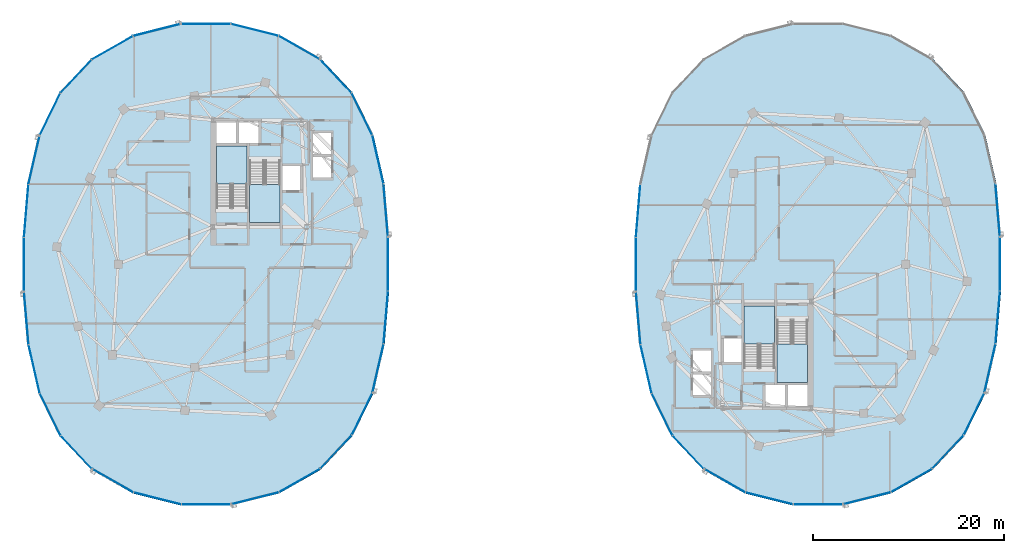
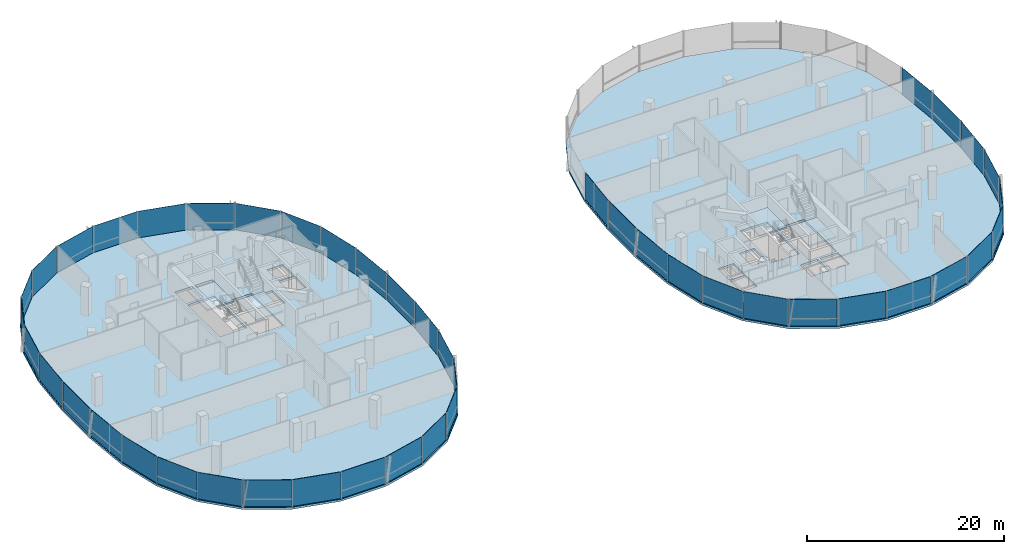
# One storey, part 13 of 25: 45 plates, 6 slabs, 12 elements without a shape of their own.
"""IFC4 building model written with IfcOpenShell, lengths in metres."""

import ifcopenshell
import ifcopenshell.guid

model = None  # the IFC model being written
_history = None  # IfcOwnerHistory: only IFC2X3 demands one
_inside = {}  # id of a spatial element -> (the spatial element, [elements in it])
_under = {}  # id of a project, library or spatial element -> (it, [spatial elements below it])
_declared = {}  # id of a project -> (the project, [libraries it declares])
_typed = {}  # id of a type object -> (the type object, [elements of that type])
_made_of = {}  # id of a material, layer set ... -> (it, [elements and type objects made of it])


def new_model(schema):
    """Start an empty IFC model of exactly this schema.

    Asked for "IFC4X3", IfcOpenShell would pick the latest addendum, in which some entities
    have other attributes; the version numbers below select the first issue.
    IFC2X3 requires an IfcOwnerHistory on every rooted entity: one is made here for all.
    """
    global model, _history
    if schema == "IFC4X3":
        model = ifcopenshell.file(schema_version=(4, 3, 0, 0))
    else:
        model = ifcopenshell.file(schema=schema)
    _inside.clear()
    _under.clear()
    _declared.clear()
    _typed.clear()
    _made_of.clear()
    _history = None
    if model.schema == "IFC2X3":
        org = make("IfcOrganization", Name="unknown")
        user = make(
            "IfcPersonAndOrganization",
            ThePerson=make("IfcPerson", FamilyName="unknown"),
            TheOrganization=org,
        )
        app = make(
            "IfcApplication",
            ApplicationDeveloper=org,
            Version="unknown",
            ApplicationFullName="unknown",
            ApplicationIdentifier="unknown",
        )
        _history = make(
            "IfcOwnerHistory",
            OwningUser=user,
            OwningApplication=app,
            ChangeAction="ADDED",
            CreationDate=0,
        )
    return model


def make(cls, **values):
    """One entity of the class cls with the attributes given. An attribute that is None is left unset."""
    return model.create_entity(
        cls, **{name: value for name, value in values.items() if value is not None}
    )


def rooted(cls, **values):
    """An entity with a GlobalId (a new one), such as an element, a storey or a relation."""
    return make(cls, GlobalId=ifcopenshell.guid.new(), OwnerHistory=_history, **values)


def si_unit(unit_type, name, prefix=None):
    """IfcSIUnit, for example si_unit("LENGTHUNIT", "METRE", prefix="MILLI")."""
    return make("IfcSIUnit", UnitType=unit_type, Prefix=prefix, Name=name)


def assignment(units):
    """IfcUnitAssignment: the units of a project."""
    return None if units is None else make("IfcUnitAssignment", Units=units)


def point(xyz):
    """IfcCartesianPoint."""
    return None if xyz is None else make("IfcCartesianPoint", Coordinates=xyz)


def direction(xyz):
    """IfcDirection."""
    return None if xyz is None else make("IfcDirection", DirectionRatios=xyz)


def frame(location, z_axis=None, x_axis=None):
    """IfcAxis2Placement3D, a coordinate frame: its origin and axes. An axis left out is left unset."""
    return make(
        "IfcAxis2Placement3D",
        Location=point(location),
        Axis=direction(z_axis),
        RefDirection=direction(x_axis),
    )


def frame_2d(location, x_axis=None):
    """IfcAxis2Placement2D, a coordinate frame in the plane: its origin and x axis."""
    return make(
        "IfcAxis2Placement2D", Location=point(location), RefDirection=direction(x_axis)
    )


def origin():
    """The frame at (0, 0, 0) with its axes left unset."""
    return frame((0.0, 0.0, 0.0))


def origin_2d():
    """The frame at (0, 0) in the plane with its x axis left unset."""
    return frame_2d((0.0, 0.0))


def place(relative_to, where):
    """IfcLocalPlacement: puts the frame where relative to a parent placement (None: the world)."""
    return make(
        "IfcLocalPlacement", PlacementRelTo=relative_to, RelativePlacement=where
    )


def context(
    kind, dimensions, precision=None, world=None, true_north=None, identifier=None
):
    """IfcGeometricRepresentationContext, for example the 3D "Model" context."""
    return make(
        "IfcGeometricRepresentationContext",
        ContextIdentifier=identifier,
        ContextType=kind,
        CoordinateSpaceDimension=dimensions,
        Precision=precision,
        WorldCoordinateSystem=world,
        TrueNorth=true_north,
    )


def subcontext(parent, identifier, kind, view, scale=None):
    """IfcGeometricRepresentationSubContext, for example "Body" below "Model"."""
    return make(
        "IfcGeometricRepresentationSubContext",
        ContextIdentifier=identifier,
        ContextType=kind,
        ParentContext=parent,
        TargetScale=scale,
        TargetView=view,
    )


def project(units=None, contexts=None):
    """IfcProject with its units and contexts."""
    return rooted(
        "IfcProject",
        Name="project",
        RepresentationContexts=contexts,
        UnitsInContext=assignment(units),
    )


def spatial(cls, under=None, at=None, **own):
    """A site, building, storey or space (cls), placed at a placement, below another one or the project."""
    s = rooted(cls, ObjectPlacement=at, **own)
    if under is not None:
        _under.setdefault(under.id(), (under, []))[1].append(s)
    return s


def polyline(points):
    """IfcPolyline through the points."""
    return make("IfcPolyline", Points=[point(p) for p in points])


def profile(cls, at=None, kind="AREA", **sizes):
    """A parametric profile (cls). Its sizes go by their IFC names, for example OverallWidth=200.0."""
    return make(cls, ProfileType=kind, Position=at, **sizes)


def rectangle(**sizes):
    """IfcRectangleProfileDef."""
    return profile("IfcRectangleProfileDef", **sizes)


def outline(outer, holes=None, kind="AREA"):
    """IfcArbitraryClosedProfileDef: a profile drawn as a closed curve; with holes, ...WithVoids."""
    if holes is None:
        return make("IfcArbitraryClosedProfileDef", ProfileType=kind, OuterCurve=outer)
    return make(
        "IfcArbitraryProfileDefWithVoids",
        ProfileType=kind,
        OuterCurve=outer,
        InnerCurves=holes,
    )


def extrude(swept, where, along, depth):
    """IfcExtrudedAreaSolid: the profile swept, set in the frame where, extruded along a direction by depth."""
    return make(
        "IfcExtrudedAreaSolid",
        SweptArea=swept,
        Position=where,
        ExtrudedDirection=direction(along),
        Depth=depth,
    )


def shape(context_of_items, identifier, shape_type, items):
    """IfcShapeRepresentation: the items that make up one representation, for example the "Body"."""
    return make(
        "IfcShapeRepresentation",
        ContextOfItems=context_of_items,
        RepresentationIdentifier=identifier,
        RepresentationType=shape_type,
        Items=items,
    )


def material(Name=None, Category=None):
    """IfcMaterial."""
    return make("IfcMaterial", Name=Name, Category=Category)


def layer(
    of_material, thickness, ventilated=None, Name=None, Category=None, Priority=None
):
    """IfcMaterialLayer: one layer of a wall or slab, of a material (None: an air gap)."""
    return make(
        "IfcMaterialLayer",
        Material=of_material,
        LayerThickness=thickness,
        IsVentilated=ventilated,
        Name=Name,
        Category=Category,
        Priority=Priority,
    )


def layer_set(layers, Name=None):
    """IfcMaterialLayerSet."""
    return make("IfcMaterialLayerSet", MaterialLayers=layers, LayerSetName=Name)


def made_of(thing, what):
    """Note that an element or type object is made of a material, layer set ...; save() writes the relation."""
    if what is not None:
        _made_of.setdefault(what.id(), (what, []))[1].append(thing)
    return thing


def type_object(cls, material=None, **own):
    """A type object (cls), such as IfcWallType, which elements share."""
    return made_of(rooted(cls, **own), material)


def element(
    cls,
    number,
    at=None,
    inside=None,
    cuts=None,
    type_object=None,
    material=None,
    context=None,
    identifier="Body",
    shape_type=None,
    held_by="IfcProductDefinitionShape",
    body=None,
    shapes=None,
    **own,
):
    """One element of the class cls, such as IfcWall. Its Tag is "e" and its number.

    at: its placement. inside: the storey or other place that contains it. cuts: it is an
    opening in that element (IfcRelVoidsElement). A single representation is given by context,
    identifier, shape_type and body (its items); several are given by shapes. held_by: the class
    of the entity that holds the representations. save() writes the other relations.
    """
    e = rooted(cls, Tag="e%d" % number, ObjectPlacement=at, **own)
    if body is not None:
        shapes = [shape(context, identifier, shape_type, body)]
    if shapes is not None:
        e.Representation = make(held_by, Representations=shapes)
    if inside is not None:
        _inside.setdefault(inside.id(), (inside, []))[1].append(e)
    if cuts is not None:
        rooted(
            "IfcRelVoidsElement", RelatingBuildingElement=cuts, RelatedOpeningElement=e
        )
    if type_object is not None:
        _typed.setdefault(type_object.id(), (type_object, []))[1].append(e)
    return made_of(e, material)


def aggregate(whole, parts):
    """IfcRelAggregates: a whole, such as a stair, and the parts it consists of."""
    return rooted("IfcRelAggregates", RelatingObject=whole, RelatedObjects=parts)


def save(model, path):
    """Write the relations noted so far, then the file.

    IfcRelAggregates (storeys below a building ...), IfcRelContainedInSpatialStructure (elements
    in a storey), IfcRelDefinesByType, IfcRelAssociatesMaterial and IfcRelDeclares: one each for
    every whole, place, type object, material and project.
    """
    for whole, parts in _under.values():
        aggregate(whole, parts)
    for where, things in _inside.values():
        rooted(
            "IfcRelContainedInSpatialStructure",
            RelatedElements=things,
            RelatingStructure=where,
        )
    for kind, things in _typed.values():
        rooted("IfcRelDefinesByType", RelatedObjects=things, RelatingType=kind)
    for what, things in _made_of.values():
        rooted("IfcRelAssociatesMaterial", RelatedObjects=things, RelatingMaterial=what)
    for by, libraries in _declared.values():
        rooted("IfcRelDeclares", RelatingContext=by, RelatedDefinitions=libraries)
    model.write(path)


model = new_model("IFC4")

# Units and contexts
model_context = context("Model", 3, precision=1e-05, world=origin(), true_north=direction((0.0, 1.0)))
body_context = subcontext(model_context, "Body", "Model", "MODEL_VIEW")
ifc_project = project(units=[si_unit("LENGTHUNIT", "METRE"), si_unit("AREAUNIT", "SQUARE_METRE"), si_unit("VOLUMEUNIT", "CUBIC_METRE"), si_unit("PLANEANGLEUNIT", "RADIAN"), si_unit("MASSUNIT", "GRAM", prefix="KILO"), si_unit("THERMODYNAMICTEMPERATUREUNIT", "KELVIN"), si_unit("POWERUNIT", "WATT")], contexts=[model_context])

# Site, building, storey
site_placement = place(None, origin())
site = spatial("IfcSite", under=ifc_project, at=site_placement, CompositionType="ELEMENT")
building_placement = place(site_placement, origin())
building = spatial("IfcBuilding", under=site, at=building_placement, Name="Cundina Bronze Exchange", CompositionType="ELEMENT")
storey_placement = place(building_placement, frame((0.0, 0.0, 220.60009765625)))
storey = spatial("IfcBuildingStorey", under=building, at=storey_placement, Name="L58", CompositionType="ELEMENT", Elevation=220.60009765625)

# Curtain wall, plates
ifc_material_1 = material(Name="Anodised Bronze Aluminium 6063-T6", Category="aluminium")
curtain_wall_type = type_object("IfcCurtainWallType", Name="CWS-UPP-OFF", PredefinedType="NOTDEFINED", material=ifc_material_1)
curtain_wall_1_placement = place(storey_placement, origin())
curtain_wall_1 = element("IfcCurtainWall", 1, at=curtain_wall_1_placement, inside=storey, type_object=curtain_wall_type, Name="L58 CW-05 Curtain Wall Run CWR-L58-W1", PredefinedType="NOTDEFINED")
ifc_material_2 = material(Name="Heat-Strengthened Solar-Control Bronze Safety Glass 28mm", Category="glass")
ifc_layer_1 = layer(ifc_material_2, 0.028076171875, Name="Heat-Strengthened Solar-Control Bronze Safety Glass 28mm", Category="glass")
ifc_layer_set_1 = layer_set([ifc_layer_1], Name="Heat-Strengthened Solar-Control Bronze Safety Glass 28mm")
plate_type_1 = type_object("IfcPlateType", Name="PLT-GLZ-VIS28", PredefinedType="CURTAIN_PANEL", material=ifc_layer_set_1)
plate_1_placement = place(storey_placement, frame((-13.198486328125, 5.60693359375, 0.02001953125), z_axis=(0.0, 0.0, 1.0), x_axis=(-0.083747411454, 0.996487015006, 0.0)))
plate_1 = element("IfcPlate", 2, at=plate_1_placement, type_object=plate_type_1, Name="CW-05 Glazed Panel 1", PredefinedType="CURTAIN_PANEL", context=body_context, shape_type="SweptSolid", body=[
    extrude(rectangle(XDim=5.474609375, YDim=0.028076171875, at=origin_2d()), origin(), (0.0, 0.0, 1.0), 3.300048828125),
])
plate_2_placement = place(storey_placement, frame((-15.685302734375, 15.686767578125, 0.02001953125), z_axis=(0.0, 0.0, 1.0), x_axis=(-0.440503330345, 0.897750976582, 0.0)))
plate_2 = element("IfcPlate", 3, at=plate_2_placement, type_object=plate_type_1, Name="CW-05 Glazed Panel 3", PredefinedType="CURTAIN_PANEL", context=body_context, shape_type="SweptSolid", body=[
    extrude(rectangle(XDim=4.863525390625, YDim=0.028076171875, at=origin_2d()), origin(), (0.0, 0.0, 1.0), 3.300048828125),
])
plate_3_placement = place(storey_placement, frame((-18.4208984375, 19.6552734375, 0.02001953125), z_axis=(0.0, 0.0, 1.0), x_axis=(-0.684343512797, 0.72915976061, 0.0)))
plate_3 = element("IfcPlate", 4, at=plate_3_placement, type_object=plate_type_1, Name="CW-05 Glazed Panel 4", PredefinedType="CURTAIN_PANEL", context=body_context, shape_type="SweptSolid", body=[
    extrude(rectangle(XDim=4.773193359375, YDim=0.028076171875, at=origin_2d()), origin(), (0.0, 0.0, 1.0), 3.300048828125),
])
plate_4_placement = place(storey_placement, frame((-22.230712890625, 22.64111328125, 0.02001953125), z_axis=(0.0, 0.0, 1.0), x_axis=(-0.869572506985, 0.493805280547, 0.0)))
plate_4 = element("IfcPlate", 5, at=plate_4_placement, type_object=plate_type_1, Name="CW-05 Glazed Panel 5", PredefinedType="CURTAIN_PANEL", context=body_context, shape_type="SweptSolid", body=[
    extrude(rectangle(XDim=4.907958984375, YDim=0.028076171875, at=origin_2d()), origin(), (0.0, 0.0, 1.0), 3.300048828125),
])
plate_5_placement = place(storey_placement, frame((-26.88720703125, 24.49609375, 0.02001953125), z_axis=(0.0, 0.0, 1.0), x_axis=(-0.969731542251, 0.244173577528, 0.0)))
plate_5 = element("IfcPlate", 6, at=plate_5_placement, type_object=plate_type_1, Name="CW-05 Glazed Panel 6", PredefinedType="CURTAIN_PANEL", context=body_context, shape_type="SweptSolid", body=[
    extrude(rectangle(XDim=5.0908203125, YDim=0.028076171875, at=origin_2d()), origin(), (0.0, 0.0, 1.0), 3.300048828125),
])

curtain_wall_2_placement = place(storey_placement, origin())
curtain_wall_2 = element("IfcCurtainWall", 7, at=curtain_wall_2_placement, inside=storey, type_object=curtain_wall_type, Name="L58 CW-05 Curtain Wall Run CWR-L58-W2", PredefinedType="NOTDEFINED")
plate_6_placement = place(storey_placement, frame((-41.769287109375, 22.64111328125, 0.02001953125), z_axis=(0.0, 0.0, 1.0), x_axis=(-0.869572506985, -0.493805280547, 0.0)))
plate_6 = element("IfcPlate", 8, at=plate_6_placement, type_object=plate_type_1, Name="CW-05 Glazed Panel 2", PredefinedType="CURTAIN_PANEL", context=body_context, shape_type="SweptSolid", body=[
    extrude(rectangle(XDim=4.907958984375, YDim=0.028076171875, at=origin_2d()), origin(), (0.0, 0.0, 1.0), 3.300048828125),
])
plate_7_placement = place(storey_placement, frame((-45.5791015625, 19.6552734375, 0.02001953125), z_axis=(0.0, 0.0, 1.0), x_axis=(-0.684343512797, -0.72915976061, 0.0)))
plate_7 = element("IfcPlate", 9, at=plate_7_placement, type_object=plate_type_1, Name="CW-05 Glazed Panel 3", PredefinedType="CURTAIN_PANEL", context=body_context, shape_type="SweptSolid", body=[
    extrude(rectangle(XDim=4.773193359375, YDim=0.028076171875, at=origin_2d()), origin(), (0.0, 0.0, 1.0), 3.300048828125),
])
plate_8_placement = place(storey_placement, frame((-48.314697265625, 15.686767578125, 0.02001953125), z_axis=(0.0, 0.0, 1.0), x_axis=(-0.440503330345, -0.897750976582, 0.0)))
plate_8 = element("IfcPlate", 10, at=plate_8_placement, type_object=plate_type_1, Name="CW-05 Glazed Panel 4", PredefinedType="CURTAIN_PANEL", context=body_context, shape_type="SweptSolid", body=[
    extrude(rectangle(XDim=4.863525390625, YDim=0.028076171875, at=origin_2d()), origin(), (0.0, 0.0, 1.0), 3.300048828125),
])
plate_9_placement = place(storey_placement, frame((-49.98388671875, 10.92578125, 0.02001953125), z_axis=(0.0, 0.0, 1.0), x_axis=(-0.223284141459, -0.974753400698, 0.0)))
plate_9 = element("IfcPlate", 11, at=plate_9_placement, type_object=plate_type_1, Name="CW-05 Glazed Panel 5", PredefinedType="CURTAIN_PANEL", context=body_context, shape_type="SweptSolid", body=[
    extrude(rectangle(XDim=5.167724609375, YDim=0.028076171875, at=origin_2d()), origin(), (0.0, 0.0, 1.0), 3.300048828125),
])
plate_10_placement = place(storey_placement, frame((-51.033935546875, 0.0, 0.02001953125), z_axis=(0.0, 0.0, 1.0), x_axis=(0.0, -1.0, 0.0)))
plate_10 = element("IfcPlate", 12, at=plate_10_placement, type_object=plate_type_1, Name="CW-05 Glazed Panel 7", PredefinedType="CURTAIN_PANEL", context=body_context, shape_type="SweptSolid", body=[
    extrude(rectangle(XDim=5.597900390625, YDim=0.028076171875, at=origin_2d()), origin(), (0.0, 0.0, 1.0), 3.300048828125),
])

curtain_wall_3_placement = place(storey_placement, origin())
curtain_wall_3 = element("IfcCurtainWall", 13, at=curtain_wall_3_placement, inside=storey, type_object=curtain_wall_type, Name="L58 CW-05 Curtain Wall Run CWR-L58-W3", PredefinedType="NOTDEFINED")
plate_11_placement = place(storey_placement, frame((-50.801513671875, -5.60693359375, 0.02001953125), z_axis=(0.0, 0.0, 1.0), x_axis=(0.083747411454, -0.996487015006, 0.0)))
plate_11 = element("IfcPlate", 14, at=plate_11_placement, type_object=plate_type_1, Name="CW-05 Glazed Panel 1", PredefinedType="CURTAIN_PANEL", context=body_context, shape_type="SweptSolid", body=[
    extrude(rectangle(XDim=5.474609375, YDim=0.028076171875, at=origin_2d()), origin(), (0.0, 0.0, 1.0), 3.300048828125),
])
plate_12_placement = place(storey_placement, frame((-49.98388671875, -10.92578125, 0.02001953125), z_axis=(0.0, 0.0, 1.0), x_axis=(0.223284141459, -0.974753400698, 0.0)))
plate_12 = element("IfcPlate", 15, at=plate_12_placement, type_object=plate_type_1, Name="CW-05 Glazed Panel 2", PredefinedType="CURTAIN_PANEL", context=body_context, shape_type="SweptSolid", body=[
    extrude(rectangle(XDim=5.167724609375, YDim=0.028076171875, at=origin_2d()), origin(), (0.0, 0.0, 1.0), 3.300048828125),
])
plate_13_placement = place(storey_placement, frame((-48.314697265625, -15.686767578125, 0.02001953125), z_axis=(0.0, 0.0, 1.0), x_axis=(0.440503330345, -0.897750976582, 0.0)))
plate_13 = element("IfcPlate", 16, at=plate_13_placement, type_object=plate_type_1, Name="CW-05 Glazed Panel 3", PredefinedType="CURTAIN_PANEL", context=body_context, shape_type="SweptSolid", body=[
    extrude(rectangle(XDim=4.863525390625, YDim=0.028076171875, at=origin_2d()), origin(), (0.0, 0.0, 1.0), 3.300048828125),
])
plate_14_placement = place(storey_placement, frame((-45.5791015625, -19.6552734375, 0.02001953125), z_axis=(0.0, 0.0, 1.0), x_axis=(0.684343512797, -0.72915976061, 0.0)))
plate_14 = element("IfcPlate", 17, at=plate_14_placement, type_object=plate_type_1, Name="CW-05 Glazed Panel 4", PredefinedType="CURTAIN_PANEL", context=body_context, shape_type="SweptSolid", body=[
    extrude(rectangle(XDim=4.773193359375, YDim=0.028076171875, at=origin_2d()), origin(), (0.0, 0.0, 1.0), 3.300048828125),
])
plate_15_placement = place(storey_placement, frame((-37.11279296875, -24.49609375, 0.02001953125), z_axis=(0.0, 0.0, 1.0), x_axis=(0.969731542251, -0.244173577528, 0.0)))
plate_15 = element("IfcPlate", 18, at=plate_15_placement, type_object=plate_type_1, Name="CW-05 Glazed Panel 6", PredefinedType="CURTAIN_PANEL", context=body_context, shape_type="SweptSolid", body=[
    extrude(rectangle(XDim=5.0908203125, YDim=0.028076171875, at=origin_2d()), origin(), (0.0, 0.0, 1.0), 3.300048828125),
])
plate_16_placement = place(storey_placement, frame((-32.0, -25.125, 0.02001953125), z_axis=(0.0, 0.0, 1.0), x_axis=(1.0, 0.0, 0.0)))
plate_16 = element("IfcPlate", 19, at=plate_16_placement, type_object=plate_type_1, Name="CW-05 Glazed Panel 7", PredefinedType="CURTAIN_PANEL", context=body_context, shape_type="SweptSolid", body=[
    extrude(rectangle(XDim=5.16796875, YDim=0.028076171875, at=origin_2d()), origin(), (0.0, 0.0, 1.0), 3.300048828125),
])

curtain_wall_4_placement = place(storey_placement, origin())
curtain_wall_4 = element("IfcCurtainWall", 20, at=curtain_wall_4_placement, inside=storey, type_object=curtain_wall_type, Name="L58 CW-05 Curtain Wall Run CWR-L58-W4", PredefinedType="NOTDEFINED")
plate_17_placement = place(storey_placement, frame((-26.88720703125, -24.49609375, 0.02001953125), z_axis=(0.0, 0.0, 1.0), x_axis=(0.969731542251, 0.244173577528, 0.0)))
plate_17 = element("IfcPlate", 21, at=plate_17_placement, type_object=plate_type_1, Name="CW-05 Glazed Panel 1", PredefinedType="CURTAIN_PANEL", context=body_context, shape_type="SweptSolid", body=[
    extrude(rectangle(XDim=5.0908203125, YDim=0.028076171875, at=origin_2d()), origin(), (0.0, 0.0, 1.0), 3.300048828125),
])
plate_18_placement = place(storey_placement, frame((-22.230712890625, -22.64111328125, 0.02001953125), z_axis=(0.0, 0.0, 1.0), x_axis=(0.869572506985, 0.493805280547, 0.0)))
plate_18 = element("IfcPlate", 22, at=plate_18_placement, type_object=plate_type_1, Name="CW-05 Glazed Panel 2", PredefinedType="CURTAIN_PANEL", context=body_context, shape_type="SweptSolid", body=[
    extrude(rectangle(XDim=4.907958984375, YDim=0.028076171875, at=origin_2d()), origin(), (0.0, 0.0, 1.0), 3.300048828125),
])
plate_19_placement = place(storey_placement, frame((-18.4208984375, -19.6552734375, 0.02001953125), z_axis=(0.0, 0.0, 1.0), x_axis=(0.684343512797, 0.72915976061, 0.0)))
plate_19 = element("IfcPlate", 23, at=plate_19_placement, type_object=plate_type_1, Name="CW-05 Glazed Panel 3", PredefinedType="CURTAIN_PANEL", context=body_context, shape_type="SweptSolid", body=[
    extrude(rectangle(XDim=4.773193359375, YDim=0.028076171875, at=origin_2d()), origin(), (0.0, 0.0, 1.0), 3.300048828125),
])
plate_20_placement = place(storey_placement, frame((-14.01611328125, -10.92578125, 0.02001953125), z_axis=(0.0, 0.0, 1.0), x_axis=(0.223284141459, 0.974753400698, 0.0)))
plate_20 = element("IfcPlate", 24, at=plate_20_placement, type_object=plate_type_1, Name="CW-05 Glazed Panel 5", PredefinedType="CURTAIN_PANEL", context=body_context, shape_type="SweptSolid", body=[
    extrude(rectangle(XDim=5.167724609375, YDim=0.028076171875, at=origin_2d()), origin(), (0.0, 0.0, 1.0), 3.300048828125),
])
plate_21_placement = place(storey_placement, frame((-13.198486328125, -5.60693359375, 0.02001953125), z_axis=(0.0, 0.0, 1.0), x_axis=(0.083747411454, 0.996487015006, 0.0)))
plate_21 = element("IfcPlate", 25, at=plate_21_placement, type_object=plate_type_1, Name="CW-05 Glazed Panel 6", PredefinedType="CURTAIN_PANEL", context=body_context, shape_type="SweptSolid", body=[
    extrude(rectangle(XDim=5.474609375, YDim=0.028076171875, at=origin_2d()), origin(), (0.0, 0.0, 1.0), 3.300048828125),
])
plate_22_placement = place(storey_placement, frame((-12.966064453125, 0.0, 0.02001953125), z_axis=(0.0, 0.0, 1.0), x_axis=(0.0, 1.0, 0.0)))
plate_22 = element("IfcPlate", 26, at=plate_22_placement, type_object=plate_type_1, Name="CW-05 Glazed Panel 7", PredefinedType="CURTAIN_PANEL", context=body_context, shape_type="SweptSolid", body=[
    extrude(rectangle(XDim=5.597900390625, YDim=0.028076171875, at=origin_2d()), origin(), (0.0, 0.0, 1.0), 3.300048828125),
])

# Curtain wall, plate
curtain_wall_5_placement = place(storey_placement, origin())
curtain_wall_5 = element("IfcCurtainWall", 27, at=curtain_wall_5_placement, inside=storey, type_object=curtain_wall_type, Name="L58 CW-05 Curtain Wall Run CWR-L58-E1", PredefinedType="NOTDEFINED")
plate_23_placement = place(storey_placement, frame((50.801513671875, 5.60693359375, 0.02001953125), z_axis=(0.0, 0.0, 1.0), x_axis=(-0.083747411454, 0.996487015006, 0.0)))
plate_23 = element("IfcPlate", 28, at=plate_23_placement, type_object=plate_type_1, Name="CW-05 Glazed Panel 1", PredefinedType="CURTAIN_PANEL", context=body_context, shape_type="SweptSolid", body=[
    extrude(rectangle(XDim=5.474609375, YDim=0.028076171875, at=origin_2d()), origin(), (0.0, 0.0, 1.0), 3.300048828125),
])
aggregate(curtain_wall_5, [plate_23])

curtain_wall_6_placement = place(storey_placement, origin())
curtain_wall_6 = element("IfcCurtainWall", 29, at=curtain_wall_6_placement, inside=storey, type_object=curtain_wall_type, Name="L58 CW-05 Curtain Wall Run CWR-L58-E2", PredefinedType="NOTDEFINED")
plate_24_placement = place(storey_placement, frame((12.966064453125, 0.0, 0.02001953125), z_axis=(0.0, 0.0, 1.0), x_axis=(0.0, -1.0, 0.0)))
plate_24 = element("IfcPlate", 30, at=plate_24_placement, type_object=plate_type_1, Name="CW-05 Glazed Panel 7", PredefinedType="CURTAIN_PANEL", context=body_context, shape_type="SweptSolid", body=[
    extrude(rectangle(XDim=5.597900390625, YDim=0.028076171875, at=origin_2d()), origin(), (0.0, 0.0, 1.0), 3.300048828125),
])

# Curtain wall, plates
curtain_wall_7_placement = place(storey_placement, origin())
curtain_wall_7 = element("IfcCurtainWall", 31, at=curtain_wall_7_placement, inside=storey, type_object=curtain_wall_type, Name="L58 CW-05 Curtain Wall Run CWR-L58-E3", PredefinedType="NOTDEFINED")
plate_25_placement = place(storey_placement, frame((13.198486328125, -5.60693359375, 0.02001953125), z_axis=(0.0, 0.0, 1.0), x_axis=(0.083747411454, -0.996487015006, 0.0)))
plate_25 = element("IfcPlate", 32, at=plate_25_placement, type_object=plate_type_1, Name="CW-05 Glazed Panel 1", PredefinedType="CURTAIN_PANEL", context=body_context, shape_type="SweptSolid", body=[
    extrude(rectangle(XDim=5.474609375, YDim=0.028076171875, at=origin_2d()), origin(), (0.0, 0.0, 1.0), 3.300048828125),
])
plate_26_placement = place(storey_placement, frame((14.01611328125, -10.92578125, 0.02001953125), z_axis=(0.0, 0.0, 1.0), x_axis=(0.223284141459, -0.974753400698, 0.0)))
plate_26 = element("IfcPlate", 33, at=plate_26_placement, type_object=plate_type_1, Name="CW-05 Glazed Panel 2", PredefinedType="CURTAIN_PANEL", context=body_context, shape_type="SweptSolid", body=[
    extrude(rectangle(XDim=5.167724609375, YDim=0.028076171875, at=origin_2d()), origin(), (0.0, 0.0, 1.0), 3.300048828125),
])
plate_27_placement = place(storey_placement, frame((15.685302734375, -15.686767578125, 0.02001953125), z_axis=(0.0, 0.0, 1.0), x_axis=(0.440503330345, -0.897750976582, 0.0)))
plate_27 = element("IfcPlate", 34, at=plate_27_placement, type_object=plate_type_1, Name="CW-05 Glazed Panel 3", PredefinedType="CURTAIN_PANEL", context=body_context, shape_type="SweptSolid", body=[
    extrude(rectangle(XDim=4.863525390625, YDim=0.028076171875, at=origin_2d()), origin(), (0.0, 0.0, 1.0), 3.300048828125),
])
plate_28_placement = place(storey_placement, frame((18.4208984375, -19.6552734375, 0.02001953125), z_axis=(0.0, 0.0, 1.0), x_axis=(0.684343512797, -0.72915976061, 0.0)))
plate_28 = element("IfcPlate", 35, at=plate_28_placement, type_object=plate_type_1, Name="CW-05 Glazed Panel 4", PredefinedType="CURTAIN_PANEL", context=body_context, shape_type="SweptSolid", body=[
    extrude(rectangle(XDim=4.773193359375, YDim=0.028076171875, at=origin_2d()), origin(), (0.0, 0.0, 1.0), 3.300048828125),
])
plate_29_placement = place(storey_placement, frame((26.88720703125, -24.49609375, 0.02001953125), z_axis=(0.0, 0.0, 1.0), x_axis=(0.969731542251, -0.244173577528, 0.0)))
plate_29 = element("IfcPlate", 36, at=plate_29_placement, type_object=plate_type_1, Name="CW-05 Glazed Panel 6", PredefinedType="CURTAIN_PANEL", context=body_context, shape_type="SweptSolid", body=[
    extrude(rectangle(XDim=5.0908203125, YDim=0.028076171875, at=origin_2d()), origin(), (0.0, 0.0, 1.0), 3.300048828125),
])
plate_30_placement = place(storey_placement, frame((32.0, -25.125, 0.02001953125), z_axis=(0.0, 0.0, 1.0), x_axis=(1.0, 0.0, 0.0)))
plate_30 = element("IfcPlate", 37, at=plate_30_placement, type_object=plate_type_1, Name="CW-05 Glazed Panel 7", PredefinedType="CURTAIN_PANEL", context=body_context, shape_type="SweptSolid", body=[
    extrude(rectangle(XDim=5.16796875, YDim=0.028076171875, at=origin_2d()), origin(), (0.0, 0.0, 1.0), 3.300048828125),
])

curtain_wall_8_placement = place(storey_placement, origin())
curtain_wall_8 = element("IfcCurtainWall", 38, at=curtain_wall_8_placement, inside=storey, type_object=curtain_wall_type, Name="L58 CW-05 Curtain Wall Run CWR-L58-E4", PredefinedType="NOTDEFINED")
plate_31_placement = place(storey_placement, frame((37.11279296875, -24.49609375, 0.02001953125), z_axis=(0.0, 0.0, 1.0), x_axis=(0.969731542251, 0.244173577528, 0.0)))
plate_31 = element("IfcPlate", 39, at=plate_31_placement, type_object=plate_type_1, Name="CW-05 Glazed Panel 1", PredefinedType="CURTAIN_PANEL", context=body_context, shape_type="SweptSolid", body=[
    extrude(rectangle(XDim=5.0908203125, YDim=0.028076171875, at=origin_2d()), origin(), (0.0, 0.0, 1.0), 3.300048828125),
])
plate_32_placement = place(storey_placement, frame((41.769287109375, -22.64111328125, 0.02001953125), z_axis=(0.0, 0.0, 1.0), x_axis=(0.869572506985, 0.493805280547, 0.0)))
plate_32 = element("IfcPlate", 40, at=plate_32_placement, type_object=plate_type_1, Name="CW-05 Glazed Panel 2", PredefinedType="CURTAIN_PANEL", context=body_context, shape_type="SweptSolid", body=[
    extrude(rectangle(XDim=4.907958984375, YDim=0.028076171875, at=origin_2d()), origin(), (0.0, 0.0, 1.0), 3.300048828125),
])
plate_33_placement = place(storey_placement, frame((45.5791015625, -19.6552734375, 0.02001953125), z_axis=(0.0, 0.0, 1.0), x_axis=(0.684343512797, 0.72915976061, 0.0)))
plate_33 = element("IfcPlate", 41, at=plate_33_placement, type_object=plate_type_1, Name="CW-05 Glazed Panel 3", PredefinedType="CURTAIN_PANEL", context=body_context, shape_type="SweptSolid", body=[
    extrude(rectangle(XDim=4.773193359375, YDim=0.028076171875, at=origin_2d()), origin(), (0.0, 0.0, 1.0), 3.300048828125),
])
plate_34_placement = place(storey_placement, frame((49.98388671875, -10.92578125, 0.02001953125), z_axis=(0.0, 0.0, 1.0), x_axis=(0.223284141459, 0.974753400698, 0.0)))
plate_34 = element("IfcPlate", 42, at=plate_34_placement, type_object=plate_type_1, Name="CW-05 Glazed Panel 5", PredefinedType="CURTAIN_PANEL", context=body_context, shape_type="SweptSolid", body=[
    extrude(rectangle(XDim=5.167724609375, YDim=0.028076171875, at=origin_2d()), origin(), (0.0, 0.0, 1.0), 3.300048828125),
])
plate_35_placement = place(storey_placement, frame((50.801513671875, -5.60693359375, 0.02001953125), z_axis=(0.0, 0.0, 1.0), x_axis=(0.083747411454, 0.996487015006, 0.0)))
plate_35 = element("IfcPlate", 43, at=plate_35_placement, type_object=plate_type_1, Name="CW-05 Glazed Panel 6", PredefinedType="CURTAIN_PANEL", context=body_context, shape_type="SweptSolid", body=[
    extrude(rectangle(XDim=5.474609375, YDim=0.028076171875, at=origin_2d()), origin(), (0.0, 0.0, 1.0), 3.300048828125),
])
plate_36_placement = place(storey_placement, frame((51.033935546875, 0.0, 0.02001953125), z_axis=(0.0, 0.0, 1.0), x_axis=(0.0, 1.0, 0.0)))
plate_36 = element("IfcPlate", 44, at=plate_36_placement, type_object=plate_type_1, Name="CW-05 Glazed Panel 7", PredefinedType="CURTAIN_PANEL", context=body_context, shape_type="SweptSolid", body=[
    extrude(rectangle(XDim=5.597900390625, YDim=0.028076171875, at=origin_2d()), origin(), (0.0, 0.0, 1.0), 3.300048828125),
])

# Plate
ifc_material_3 = material(Name="Dark Bronze Spandrel Glass Panel 32mm", Category="glass")
ifc_layer_2 = layer(ifc_material_3, 0.031982421875, Name="Dark Bronze Spandrel Glass Panel 32mm", Category="glass")
ifc_layer_set_2 = layer_set([ifc_layer_2], Name="Dark Bronze Spandrel Glass Panel 32mm")
plate_type_2 = type_object("IfcPlateType", Name="PLT-SPN-BRZ32", PredefinedType="CURTAIN_PANEL", material=ifc_layer_set_2)
plate_37_placement = place(storey_placement, frame((-14.01611328125, 10.92578125, 0.02001953125), z_axis=(0.0, 0.0, 1.0), x_axis=(-0.223284141459, 0.974753400698, 0.0)))
plate_37 = element("IfcPlate", 45, at=plate_37_placement, type_object=plate_type_2, Name="CW-05 Glazed Panel 2", PredefinedType="CURTAIN_PANEL", context=body_context, shape_type="SweptSolid", body=[
    extrude(rectangle(XDim=5.167724609375, YDim=0.031982421875, at=origin_2d()), origin(), (0.0, 0.0, 1.0), 3.300048828125),
])

plate_38_placement = place(storey_placement, frame((-32.0, 25.125, 0.02001953125), z_axis=(0.0, 0.0, 1.0), x_axis=(-1.0, 0.0, 0.0)))
plate_38 = element("IfcPlate", 46, at=plate_38_placement, type_object=plate_type_2, Name="CW-05 Glazed Panel 7", PredefinedType="CURTAIN_PANEL", context=body_context, shape_type="SweptSolid", body=[
    extrude(rectangle(XDim=5.16796875, YDim=0.031982421875, at=origin_2d()), origin(), (0.0, 0.0, 1.0), 3.300048828125),
])

aggregate(curtain_wall_1, [plate_1, plate_37, plate_2, plate_3, plate_4, plate_5, plate_38])

plate_39_placement = place(storey_placement, frame((-37.11279296875, 24.49609375, 0.02001953125), z_axis=(0.0, 0.0, 1.0), x_axis=(-0.969731542251, -0.244173577528, 0.0)))
plate_39 = element("IfcPlate", 47, at=plate_39_placement, type_object=plate_type_2, Name="CW-05 Glazed Panel 1", PredefinedType="CURTAIN_PANEL", context=body_context, shape_type="SweptSolid", body=[
    extrude(rectangle(XDim=5.0908203125, YDim=0.031982421875, at=origin_2d()), origin(), (0.0, 0.0, 1.0), 3.300048828125),
])

plate_40_placement = place(storey_placement, frame((-50.801513671875, 5.60693359375, 0.02001953125), z_axis=(0.0, 0.0, 1.0), x_axis=(-0.083747411454, -0.996487015006, 0.0)))
plate_40 = element("IfcPlate", 48, at=plate_40_placement, type_object=plate_type_2, Name="CW-05 Glazed Panel 6", PredefinedType="CURTAIN_PANEL", context=body_context, shape_type="SweptSolid", body=[
    extrude(rectangle(XDim=5.474609375, YDim=0.031982421875, at=origin_2d()), origin(), (0.0, 0.0, 1.0), 3.300048828125),
])

aggregate(curtain_wall_2, [plate_39, plate_6, plate_7, plate_8, plate_9, plate_40, plate_10])

plate_41_placement = place(storey_placement, frame((-41.769287109375, -22.64111328125, 0.02001953125), z_axis=(0.0, 0.0, 1.0), x_axis=(0.869572506985, -0.493805280547, 0.0)))
plate_41 = element("IfcPlate", 49, at=plate_41_placement, type_object=plate_type_2, Name="CW-05 Glazed Panel 5", PredefinedType="CURTAIN_PANEL", context=body_context, shape_type="SweptSolid", body=[
    extrude(rectangle(XDim=4.907958984375, YDim=0.031982421875, at=origin_2d()), origin(), (0.0, 0.0, 1.0), 3.300048828125),
])

aggregate(curtain_wall_3, [plate_11, plate_12, plate_13, plate_14, plate_41, plate_15, plate_16])

plate_42_placement = place(storey_placement, frame((-15.685302734375, -15.686767578125, 0.02001953125), z_axis=(0.0, 0.0, 1.0), x_axis=(0.440503330345, 0.897750976582, 0.0)))
plate_42 = element("IfcPlate", 50, at=plate_42_placement, type_object=plate_type_2, Name="CW-05 Glazed Panel 4", PredefinedType="CURTAIN_PANEL", context=body_context, shape_type="SweptSolid", body=[
    extrude(rectangle(XDim=4.863525390625, YDim=0.031982421875, at=origin_2d()), origin(), (0.0, 0.0, 1.0), 3.300048828125),
])

aggregate(curtain_wall_4, [plate_17, plate_18, plate_19, plate_42, plate_20, plate_21, plate_22])

plate_43_placement = place(storey_placement, frame((13.198486328125, 5.60693359375, 0.02001953125), z_axis=(0.0, 0.0, 1.0), x_axis=(-0.083747411454, -0.996487015006, 0.0)))
plate_43 = element("IfcPlate", 51, at=plate_43_placement, type_object=plate_type_2, Name="CW-05 Glazed Panel 6", PredefinedType="CURTAIN_PANEL", context=body_context, shape_type="SweptSolid", body=[
    extrude(rectangle(XDim=5.474609375, YDim=0.031982421875, at=origin_2d()), origin(), (0.0, 0.0, 1.0), 3.300048828125),
])

aggregate(curtain_wall_6, [plate_43, plate_24])

plate_44_placement = place(storey_placement, frame((22.230712890625, -22.64111328125, 0.02001953125), z_axis=(0.0, 0.0, 1.0), x_axis=(0.869572506985, -0.493805280547, 0.0)))
plate_44 = element("IfcPlate", 52, at=plate_44_placement, type_object=plate_type_2, Name="CW-05 Glazed Panel 5", PredefinedType="CURTAIN_PANEL", context=body_context, shape_type="SweptSolid", body=[
    extrude(rectangle(XDim=4.907958984375, YDim=0.031982421875, at=origin_2d()), origin(), (0.0, 0.0, 1.0), 3.300048828125),
])

aggregate(curtain_wall_7, [plate_25, plate_26, plate_27, plate_28, plate_44, plate_29, plate_30])

plate_45_placement = place(storey_placement, frame((48.314697265625, -15.686767578125, 0.02001953125), z_axis=(0.0, 0.0, 1.0), x_axis=(0.440503330345, 0.897750976582, 0.0)))
plate_45 = element("IfcPlate", 53, at=plate_45_placement, type_object=plate_type_2, Name="CW-05 Glazed Panel 4", PredefinedType="CURTAIN_PANEL", context=body_context, shape_type="SweptSolid", body=[
    extrude(rectangle(XDim=4.863525390625, YDim=0.031982421875, at=origin_2d()), origin(), (0.0, 0.0, 1.0), 3.300048828125),
])

aggregate(curtain_wall_8, [plate_31, plate_32, plate_33, plate_45, plate_34, plate_35, plate_36])

# Stair, slab
ifc_material_4 = material(Name="Concrete C40/50", Category="concrete")
stair_type = type_object("IfcStairType", Name="STR-OFF-360", PredefinedType="HALF_TURN_STAIR", material=ifc_material_4)
stair_1_placement = place(storey_placement, origin())
stair_1 = element("IfcStair", 54, at=stair_1_placement, inside=storey, type_object=stair_type, Name="L58 Smokeproof Exit Stair W1", PredefinedType="HALF_TURN_STAIR")
ifc_layer_3 = layer(ifc_material_4, 0.199951171875, Name="Concrete C40/50", Category="concrete")
ifc_layer_set_3 = layer_set([ifc_layer_3], Name="Concrete C40/50")
slab_type_1 = type_object("IfcSlabType", Name="SLB-LND-200", PredefinedType="LANDING", material=ifc_layer_set_3)
slab_1_placement = place(storey_placement, frame((0.0, 0.0, 1.599853515625)))
slab_1 = element("IfcSlab", 55, at=slab_1_placement, type_object=slab_type_1, Name="ST-W1 landing 1", PredefinedType="LANDING", context=body_context, shape_type="SweptSolid", body=[
    extrude(outline(polyline([(-27.739990234375, 8.3701171875), (-27.739990234375, 12.35009765625), (-30.89990234375, 12.35009765625), (-30.89990234375, 8.3701171875), (-27.739990234375, 8.3701171875)])), origin(), (0.0, 0.0, 1.0), 0.199951171875),
])
aggregate(stair_1, [slab_1])

stair_2_placement = place(storey_placement, origin())
stair_2 = element("IfcStair", 56, at=stair_2_placement, inside=storey, type_object=stair_type, Name="L58 Smokeproof Exit Stair W2", PredefinedType="HALF_TURN_STAIR")
slab_2_placement = place(storey_placement, frame((0.0, 0.0, 1.599853515625)))
slab_2 = element("IfcSlab", 57, at=slab_2_placement, type_object=slab_type_1, Name="ST-W2 landing 1", PredefinedType="LANDING", context=body_context, shape_type="SweptSolid", body=[
    extrude(outline(polyline([(-27.43994140625, 8.330078125), (-27.43994140625, 4.35009765625), (-24.280029296875, 4.35009765625), (-24.280029296875, 8.330078125), (-27.43994140625, 8.330078125)])), origin(), (0.0, 0.0, 1.0), 0.199951171875),
])
aggregate(stair_2, [slab_2])

stair_3_placement = place(storey_placement, origin())
stair_3 = element("IfcStair", 58, at=stair_3_placement, inside=storey, type_object=stair_type, Name="L58 Smokeproof Exit Stair E1", PredefinedType="HALF_TURN_STAIR")
slab_3_placement = place(storey_placement, frame((0.0, 0.0, 1.599853515625)))
slab_3 = element("IfcSlab", 59, at=slab_3_placement, type_object=slab_type_1, Name="ST-E1 landing 1", PredefinedType="LANDING", context=body_context, shape_type="SweptSolid", body=[
    extrude(outline(polyline([(27.739990234375, -8.3701171875), (27.739990234375, -12.35009765625), (30.89990234375, -12.35009765625), (30.89990234375, -8.3701171875), (27.739990234375, -8.3701171875)])), origin(), (0.0, 0.0, 1.0), 0.199951171875),
])
aggregate(stair_3, [slab_3])

stair_4_placement = place(storey_placement, origin())
stair_4 = element("IfcStair", 60, at=stair_4_placement, inside=storey, type_object=stair_type, Name="L58 Smokeproof Exit Stair E2", PredefinedType="HALF_TURN_STAIR")
slab_4_placement = place(storey_placement, frame((0.0, 0.0, 1.599853515625)))
slab_4 = element("IfcSlab", 61, at=slab_4_placement, type_object=slab_type_1, Name="ST-E2 landing 1", PredefinedType="LANDING", context=body_context, shape_type="SweptSolid", body=[
    extrude(outline(polyline([(27.43994140625, -8.330078125), (27.43994140625, -4.35009765625), (24.280029296875, -4.35009765625), (24.280029296875, -8.330078125), (27.43994140625, -8.330078125)])), origin(), (0.0, 0.0, 1.0), 0.199951171875),
])
aggregate(stair_4, [slab_4])

# Slabs
ifc_material_5 = material(Name="Concrete C50/60", Category="concrete")
ifc_layer_4 = layer(ifc_material_5, 0.260009765625, Name="Concrete C50/60", Category="concrete")
ifc_layer_set_4 = layer_set([ifc_layer_4], Name="Concrete C50/60")
slab_type_2 = type_object("IfcSlabType", Name="SLB-OFF-260", PredefinedType="FLOOR", material=ifc_layer_set_4)
slab_5_placement = place(storey_placement, frame((0.0, 0.0, -0.260009765625)))
element("IfcSlab", 62, at=slab_5_placement, inside=storey, type_object=slab_type_2, Name="L58 Leg W Structural Floor Slab", PredefinedType="FLOOR", context=body_context, shape_type="SweptSolid", body=[
    extrude(outline(polyline([(-12.85107421875, 2.843994140625), (-13.31689453125, 8.388916015625), (-14.490966796875, 13.513916015625), (-16.673095703125, 17.9609375), (-20.0009765625, 21.507080078125), (-24.346923828125, 23.97509765625), (-29.37109375, 25.239990234375), (-34.62890625, 25.239990234375), (-39.653076171875, 23.97509765625), (-43.9990234375, 21.507080078125), (-47.326904296875, 17.9609375), (-49.509033203125, 13.513916015625), (-50.68310546875, 8.388916015625), (-51.14892578125, 2.843994140625), (-51.14892578125, -2.843994140625), (-50.68310546875, -8.388916015625), (-49.509033203125, -13.513916015625), (-47.326904296875, -17.9609375), (-43.9990234375, -21.507080078125), (-39.653076171875, -23.97509765625), (-34.62890625, -25.239990234375), (-29.37109375, -25.239990234375), (-24.346923828125, -23.97509765625), (-20.0009765625, -21.507080078125), (-16.673095703125, -17.9609375), (-14.490966796875, -13.513916015625), (-13.31689453125, -8.388916015625), (-12.85107421875, -2.843994140625), (-12.85107421875, 2.843994140625)]), holes=[polyline([(-27.739990234375, 5.85009765625), (-27.739990234375, 12.35009765625), (-30.89990234375, 12.35009765625), (-30.89990234375, 5.85009765625), (-27.739990234375, 5.85009765625)]), polyline([(-27.43994140625, 10.85009765625), (-27.43994140625, 4.35009765625), (-24.280029296875, 4.35009765625), (-24.280029296875, 10.85009765625), (-27.43994140625, 10.85009765625)]), polyline([(-23.97998046875, 10.25), (-22.179931640625, 10.25), (-22.179931640625, 7.75), (-23.97998046875, 7.75), (-23.97998046875, 10.25)]), polyline([(-30.89990234375, 14.949951171875), (-28.85009765625, 14.949951171875), (-28.85009765625, 12.64990234375), (-30.89990234375, 12.64990234375), (-30.89990234375, 14.949951171875)]), polyline([(-28.550048828125, 14.949951171875), (-26.5, 14.949951171875), (-26.5, 12.64990234375), (-28.550048828125, 12.64990234375), (-28.550048828125, 14.949951171875)]), polyline([(-20.800048828125, 13.699951171875), (-18.949951171875, 13.699951171875), (-18.949951171875, 11.449951171875), (-20.800048828125, 11.449951171875), (-20.800048828125, 13.699951171875)]), polyline([(-20.800048828125, 11.300048828125), (-18.949951171875, 11.300048828125), (-18.949951171875, 9.050048828125), (-20.800048828125, 9.050048828125), (-20.800048828125, 11.300048828125)])]), origin(), (0.0, 0.0, 1.0), 0.260009765625),
])
slab_6_placement = place(storey_placement, frame((0.0, 0.0, -0.260009765625)))
element("IfcSlab", 63, at=slab_6_placement, inside=storey, type_object=slab_type_2, Name="L58 Leg E Structural Floor Slab", PredefinedType="FLOOR", context=body_context, shape_type="SweptSolid", body=[
    extrude(outline(polyline([(51.14892578125, 2.843994140625), (50.68310546875, 8.388916015625), (49.509033203125, 13.513916015625), (47.326904296875, 17.9609375), (43.9990234375, 21.507080078125), (39.653076171875, 23.97509765625), (34.62890625, 25.239990234375), (29.37109375, 25.239990234375), (24.346923828125, 23.97509765625), (20.0009765625, 21.507080078125), (16.673095703125, 17.9609375), (14.490966796875, 13.513916015625), (13.31689453125, 8.388916015625), (12.85107421875, 2.843994140625), (12.85107421875, -2.843994140625), (13.31689453125, -8.388916015625), (14.490966796875, -13.513916015625), (16.673095703125, -17.9609375), (20.0009765625, -21.507080078125), (24.346923828125, -23.97509765625), (29.37109375, -25.239990234375), (34.62890625, -25.239990234375), (39.653076171875, -23.97509765625), (43.9990234375, -21.507080078125), (47.326904296875, -17.9609375), (49.509033203125, -13.513916015625), (50.68310546875, -8.388916015625), (51.14892578125, -2.843994140625), (51.14892578125, 2.843994140625)]), holes=[polyline([(27.739990234375, -5.85009765625), (27.739990234375, -12.35009765625), (30.89990234375, -12.35009765625), (30.89990234375, -5.85009765625), (27.739990234375, -5.85009765625)]), polyline([(27.43994140625, -10.85009765625), (27.43994140625, -4.35009765625), (24.280029296875, -4.35009765625), (24.280029296875, -10.85009765625), (27.43994140625, -10.85009765625)]), polyline([(22.179931640625, -7.75), (23.97998046875, -7.75), (23.97998046875, -10.25), (22.179931640625, -10.25), (22.179931640625, -7.75)]), polyline([(28.85009765625, -12.64990234375), (30.89990234375, -12.64990234375), (30.89990234375, -14.949951171875), (28.85009765625, -14.949951171875), (28.85009765625, -12.64990234375)]), polyline([(26.5, -12.64990234375), (28.550048828125, -12.64990234375), (28.550048828125, -14.949951171875), (26.5, -14.949951171875), (26.5, -12.64990234375)]), polyline([(18.949951171875, -11.449951171875), (20.800048828125, -11.449951171875), (20.800048828125, -13.699951171875), (18.949951171875, -13.699951171875), (18.949951171875, -11.449951171875)]), polyline([(18.949951171875, -9.050048828125), (20.800048828125, -9.050048828125), (20.800048828125, -11.300048828125), (18.949951171875, -11.300048828125), (18.949951171875, -9.050048828125)])]), origin(), (0.0, 0.0, 1.0), 0.260009765625),
])

save(model, "model.ifc")
